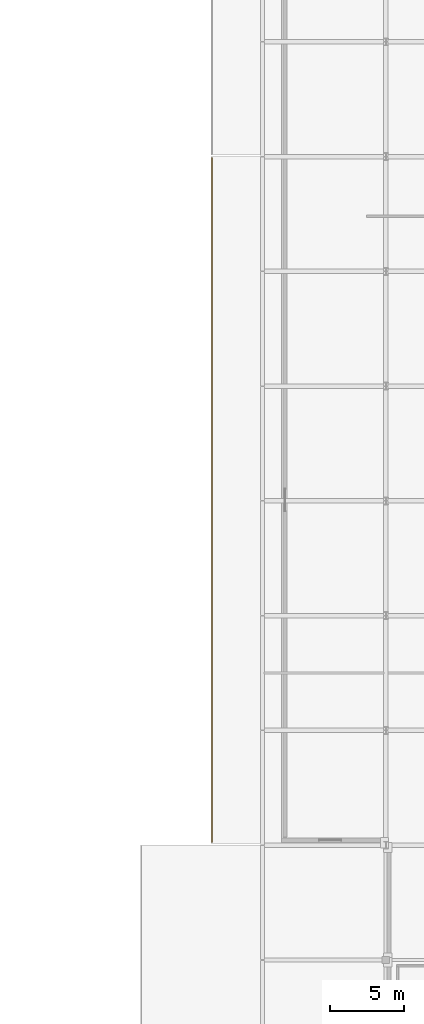
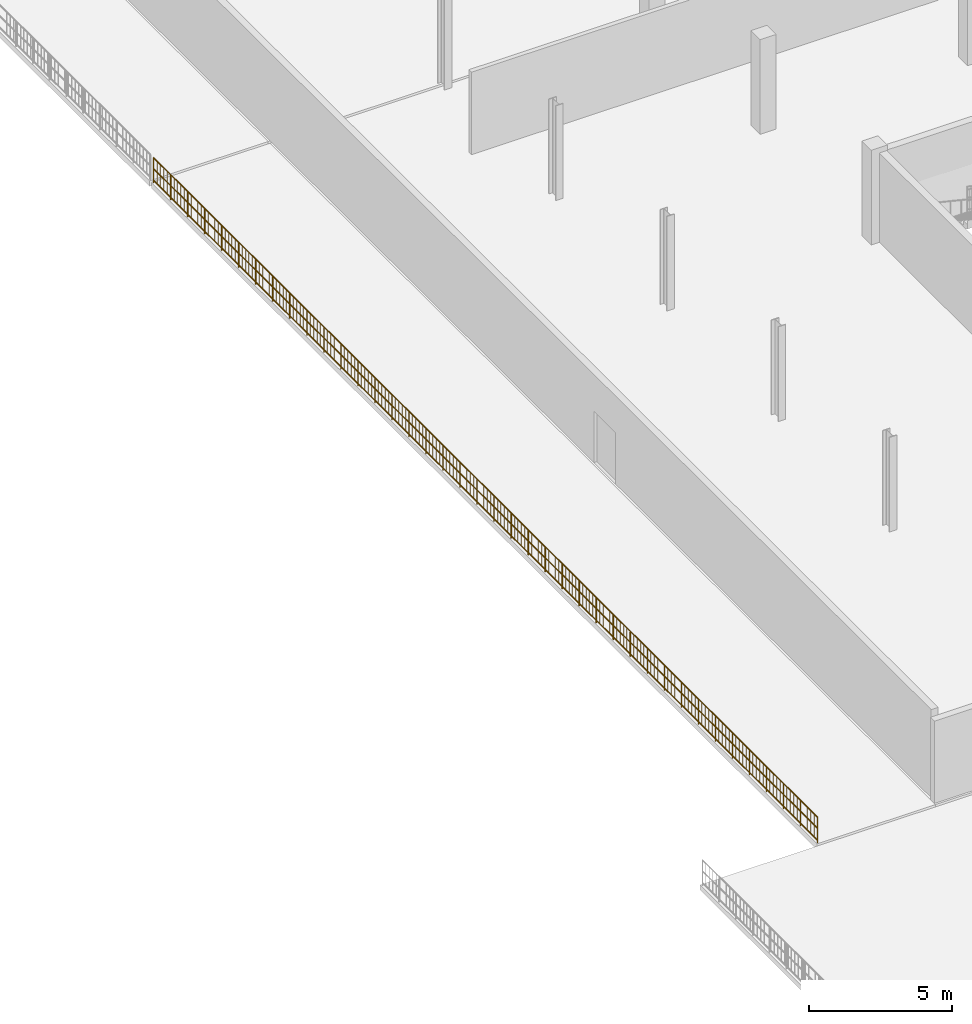
# One storey, part 36 of 41: 1 railing.
"""IFC4 building model written with IfcOpenShell, lengths in metres."""

from ifc_helpers import new_model, si_unit, direction, frame, origin, origin_2d, place, context, subcontext, project, spatial, circle, extrude, material, layer, layer_set, type_object, element, save


model = new_model("IFC4")

# Units and contexts
model_context = context("Model", 3, precision=1e-05, world=origin(), true_north=direction((0.0, 1.0)))
body_context = subcontext(model_context, "Body", "Model", "MODEL_VIEW")
ifc_project = project(units=[si_unit("LENGTHUNIT", "METRE"), si_unit("AREAUNIT", "SQUARE_METRE"), si_unit("VOLUMEUNIT", "CUBIC_METRE"), si_unit("PLANEANGLEUNIT", "RADIAN"), si_unit("MASSUNIT", "GRAM", prefix="KILO")], contexts=[model_context])

# Site, building, storey
site_placement = place(None, origin())
site = spatial("IfcSite", under=ifc_project, at=site_placement, CompositionType="ELEMENT")
building_placement = place(site_placement, origin())
building = spatial("IfcBuilding", under=site, at=building_placement, Name="Nabrawat Pavilion Hospital", CompositionType="ELEMENT")
storey_placement = place(building_placement, frame((0.0, 0.0, 18.89990234375)))
storey = spatial("IfcBuildingStorey", under=building, at=storey_placement, Name="L04", CompositionType="ELEMENT", Elevation=18.89990234375)

# Railing
ifc_material = material(Name="Stainless Steel 316", Category="steel")
ifc_layer = layer(ifc_material, 0.070068359375, Name="Stainless Steel 316")
ifc_layer_set = layer_set([ifc_layer], Name="Stainless Steel 316")
railing_type = type_object("IfcRailingType", Name="Exterior Clinical Terrace Safety Guardrail 1100", PredefinedType="GUARDRAIL", material=ifc_layer_set)
railing_placement = place(storey_placement, frame((130.97998046875, 39.179931640625, 0.0)))
element("IfcRailing", 1, at=railing_placement, inside=storey, type_object=railing_type, Name="L04 Terrace Edge Safety Guardrail T_L04_WARD_STEP2_S West", PredefinedType="GUARDRAIL", context=body_context, shape_type="SweptSolid", body=[
    extrude(circle(Radius=0.02392578125, at=origin_2d()), frame((0.0, 0.0, 1.076171875), z_axis=(0.0, 1.0, 0.0), x_axis=(-1.0, 0.0, 0.0)), (0.0, 0.0, 1.0), 46.56005859375),
    extrude(circle(Radius=0.02392578125, at=origin_2d()), frame((0.0, 0.0, 0.10009765625), z_axis=(0.0, 1.0, 0.0), x_axis=(-1.0, 0.0, 0.0)), (0.0, 0.0, 1.0), 46.56005859375),
    extrude(circle(Radius=0.02392578125, at=origin_2d()), frame((0.0, 0.0, 0.60498046875), z_axis=(0.0, 1.0, 0.0), x_axis=(-1.0, 0.0, 0.0)), (0.0, 0.0, 1.0), 46.56005859375),
    extrude(circle(Radius=0.008056640625, at=origin_2d()), frame((0.0, 0.23876953125, 0.10009765625)), (0.0, 0.0, 1.0), 0.951904296875),
    extrude(circle(Radius=0.008056640625, at=origin_2d()), frame((0.0, 0.4775390625, 0.10009765625)), (0.0, 0.0, 1.0), 0.951904296875),
    extrude(circle(Radius=0.008056640625, at=origin_2d()), frame((0.0, 0.71630859375, 0.10009765625)), (0.0, 0.0, 1.0), 0.951904296875),
    extrude(circle(Radius=0.008056640625, at=origin_2d()), frame((0.0, 0.955078125, 0.10009765625)), (0.0, 0.0, 1.0), 0.951904296875),
    extrude(circle(Radius=0.008056640625, at=origin_2d()), frame((0.0, 1.4326171875, 0.10009765625)), (0.0, 0.0, 1.0), 0.951904296875),
    extrude(circle(Radius=0.008056640625, at=origin_2d()), frame((0.0, 1.67138671875, 0.10009765625)), (0.0, 0.0, 1.0), 0.951904296875),
    extrude(circle(Radius=0.008056640625, at=origin_2d()), frame((0.0, 1.91015625, 0.10009765625)), (0.0, 0.0, 1.0), 0.951904296875),
    extrude(circle(Radius=0.008056640625, at=origin_2d()), frame((0.0, 2.14892578125, 0.10009765625)), (0.0, 0.0, 1.0), 0.951904296875),
    extrude(circle(Radius=0.008056640625, at=origin_2d()), frame((0.0, 2.62646484375, 0.10009765625)), (0.0, 0.0, 1.0), 0.951904296875),
    extrude(circle(Radius=0.008056640625, at=origin_2d()), frame((0.0, 2.865234375, 0.10009765625)), (0.0, 0.0, 1.0), 0.951904296875),
    extrude(circle(Radius=0.008056640625, at=origin_2d()), frame((0.0, 3.10400390625, 0.10009765625)), (0.0, 0.0, 1.0), 0.951904296875),
    extrude(circle(Radius=0.008056640625, at=origin_2d()), frame((0.0, 3.3427734375, 0.10009765625)), (0.0, 0.0, 1.0), 0.951904296875),
    extrude(circle(Radius=0.008056640625, at=origin_2d()), frame((0.0, 3.8203125, 0.10009765625)), (0.0, 0.0, 1.0), 0.951904296875),
    extrude(circle(Radius=0.008056640625, at=origin_2d()), frame((0.0, 4.05908203125, 0.10009765625)), (0.0, 0.0, 1.0), 0.951904296875),
    extrude(circle(Radius=0.008056640625, at=origin_2d()), frame((0.0, 4.2978515625, 0.10009765625)), (0.0, 0.0, 1.0), 0.951904296875),
    extrude(circle(Radius=0.008056640625, at=origin_2d()), frame((0.0, 4.53662109375, 0.10009765625)), (0.0, 0.0, 1.0), 0.951904296875),
    extrude(circle(Radius=0.008056640625, at=origin_2d()), frame((0.0, 5.01416015625, 0.10009765625)), (0.0, 0.0, 1.0), 0.951904296875),
    extrude(circle(Radius=0.008056640625, at=origin_2d()), frame((0.0, 5.2529296875, 0.10009765625)), (0.0, 0.0, 1.0), 0.951904296875),
    extrude(circle(Radius=0.008056640625, at=origin_2d()), frame((0.0, 5.49169921875, 0.10009765625)), (0.0, 0.0, 1.0), 0.951904296875),
    extrude(circle(Radius=0.008056640625, at=origin_2d()), frame((0.0, 5.73046875, 0.10009765625)), (0.0, 0.0, 1.0), 0.951904296875),
    extrude(circle(Radius=0.008056640625, at=origin_2d()), frame((0.0, 6.2080078125, 0.10009765625)), (0.0, 0.0, 1.0), 0.951904296875),
    extrude(circle(Radius=0.008056640625, at=origin_2d()), frame((0.0, 6.44677734375, 0.10009765625)), (0.0, 0.0, 1.0), 0.951904296875),
    extrude(circle(Radius=0.008056640625, at=origin_2d()), frame((0.0, 6.685546875, 0.10009765625)), (0.0, 0.0, 1.0), 0.951904296875),
    extrude(circle(Radius=0.008056640625, at=origin_2d()), frame((0.0, 6.92431640625, 0.10009765625)), (0.0, 0.0, 1.0), 0.951904296875),
    extrude(circle(Radius=0.008056640625, at=origin_2d()), frame((0.0, 7.40185546875, 0.10009765625)), (0.0, 0.0, 1.0), 0.951904296875),
    extrude(circle(Radius=0.008056640625, at=origin_2d()), frame((0.0, 7.640625, 0.10009765625)), (0.0, 0.0, 1.0), 0.951904296875),
    extrude(circle(Radius=0.008056640625, at=origin_2d()), frame((0.0, 7.87939453125, 0.10009765625)), (0.0, 0.0, 1.0), 0.951904296875),
    extrude(circle(Radius=0.008056640625, at=origin_2d()), frame((0.0, 8.1181640625, 0.10009765625)), (0.0, 0.0, 1.0), 0.951904296875),
    extrude(circle(Radius=0.008056640625, at=origin_2d()), frame((0.0, 8.595703125, 0.10009765625)), (0.0, 0.0, 1.0), 0.951904296875),
    extrude(circle(Radius=0.008056640625, at=origin_2d()), frame((0.0, 8.83447265625, 0.10009765625)), (0.0, 0.0, 1.0), 0.951904296875),
    extrude(circle(Radius=0.008056640625, at=origin_2d()), frame((0.0, 9.0732421875, 0.10009765625)), (0.0, 0.0, 1.0), 0.951904296875),
    extrude(circle(Radius=0.008056640625, at=origin_2d()), frame((0.0, 9.31201171875, 0.10009765625)), (0.0, 0.0, 1.0), 0.951904296875),
    extrude(circle(Radius=0.008056640625, at=origin_2d()), frame((0.0, 9.78955078125, 0.10009765625)), (0.0, 0.0, 1.0), 0.951904296875),
    extrude(circle(Radius=0.008056640625, at=origin_2d()), frame((0.0, 10.0283203125, 0.10009765625)), (0.0, 0.0, 1.0), 0.951904296875),
    extrude(circle(Radius=0.008056640625, at=origin_2d()), frame((0.0, 10.26708984375, 0.10009765625)), (0.0, 0.0, 1.0), 0.951904296875),
    extrude(circle(Radius=0.008056640625, at=origin_2d()), frame((0.0, 10.505859375, 0.10009765625)), (0.0, 0.0, 1.0), 0.951904296875),
    extrude(circle(Radius=0.008056640625, at=origin_2d()), frame((0.0, 10.9833984375, 0.10009765625)), (0.0, 0.0, 1.0), 0.951904296875),
    extrude(circle(Radius=0.008056640625, at=origin_2d()), frame((0.0, 11.22216796875, 0.10009765625)), (0.0, 0.0, 1.0), 0.951904296875),
    extrude(circle(Radius=0.008056640625, at=origin_2d()), frame((0.0, 11.4609375, 0.10009765625)), (0.0, 0.0, 1.0), 0.951904296875),
    extrude(circle(Radius=0.008056640625, at=origin_2d()), frame((0.0, 11.69970703125, 0.10009765625)), (0.0, 0.0, 1.0), 0.951904296875),
    extrude(circle(Radius=0.008056640625, at=origin_2d()), frame((0.0, 12.17724609375, 0.10009765625)), (0.0, 0.0, 1.0), 0.951904296875),
    extrude(circle(Radius=0.008056640625, at=origin_2d()), frame((0.0, 12.416015625, 0.10009765625)), (0.0, 0.0, 1.0), 0.951904296875),
    extrude(circle(Radius=0.008056640625, at=origin_2d()), frame((0.0, 12.65478515625, 0.10009765625)), (0.0, 0.0, 1.0), 0.951904296875),
    extrude(circle(Radius=0.008056640625, at=origin_2d()), frame((0.0, 12.8935546875, 0.10009765625)), (0.0, 0.0, 1.0), 0.951904296875),
    extrude(circle(Radius=0.008056640625, at=origin_2d()), frame((0.0, 13.37109375, 0.10009765625)), (0.0, 0.0, 1.0), 0.951904296875),
    extrude(circle(Radius=0.008056640625, at=origin_2d()), frame((0.0, 13.60986328125, 0.10009765625)), (0.0, 0.0, 1.0), 0.951904296875),
    extrude(circle(Radius=0.008056640625, at=origin_2d()), frame((0.0, 13.8486328125, 0.10009765625)), (0.0, 0.0, 1.0), 0.951904296875),
    extrude(circle(Radius=0.008056640625, at=origin_2d()), frame((0.0, 14.08740234375, 0.10009765625)), (0.0, 0.0, 1.0), 0.951904296875),
    extrude(circle(Radius=0.008056640625, at=origin_2d()), frame((0.0, 14.56494140625, 0.10009765625)), (0.0, 0.0, 1.0), 0.951904296875),
    extrude(circle(Radius=0.008056640625, at=origin_2d()), frame((0.0, 14.8037109375, 0.10009765625)), (0.0, 0.0, 1.0), 0.951904296875),
    extrude(circle(Radius=0.008056640625, at=origin_2d()), frame((0.0, 15.04248046875, 0.10009765625)), (0.0, 0.0, 1.0), 0.951904296875),
    extrude(circle(Radius=0.008056640625, at=origin_2d()), frame((0.0, 15.28125, 0.10009765625)), (0.0, 0.0, 1.0), 0.951904296875),
    extrude(circle(Radius=0.008056640625, at=origin_2d()), frame((0.0, 15.7587890625, 0.10009765625)), (0.0, 0.0, 1.0), 0.951904296875),
    extrude(circle(Radius=0.008056640625, at=origin_2d()), frame((0.0, 15.99755859375, 0.10009765625)), (0.0, 0.0, 1.0), 0.951904296875),
    extrude(circle(Radius=0.008056640625, at=origin_2d()), frame((0.0, 16.236328125, 0.10009765625)), (0.0, 0.0, 1.0), 0.951904296875),
    extrude(circle(Radius=0.008056640625, at=origin_2d()), frame((0.0, 16.47509765625, 0.10009765625)), (0.0, 0.0, 1.0), 0.951904296875),
    extrude(circle(Radius=0.008056640625, at=origin_2d()), frame((0.0, 16.95263671875, 0.10009765625)), (0.0, 0.0, 1.0), 0.951904296875),
    extrude(circle(Radius=0.008056640625, at=origin_2d()), frame((0.0, 17.19140625, 0.10009765625)), (0.0, 0.0, 1.0), 0.951904296875),
    extrude(circle(Radius=0.008056640625, at=origin_2d()), frame((0.0, 17.43017578125, 0.10009765625)), (0.0, 0.0, 1.0), 0.951904296875),
    extrude(circle(Radius=0.008056640625, at=origin_2d()), frame((0.0, 17.6689453125, 0.10009765625)), (0.0, 0.0, 1.0), 0.951904296875),
    extrude(circle(Radius=0.008056640625, at=origin_2d()), frame((0.0, 18.146484375, 0.10009765625)), (0.0, 0.0, 1.0), 0.951904296875),
    extrude(circle(Radius=0.008056640625, at=origin_2d()), frame((0.0, 18.38525390625, 0.10009765625)), (0.0, 0.0, 1.0), 0.951904296875),
    extrude(circle(Radius=0.008056640625, at=origin_2d()), frame((0.0, 18.6240234375, 0.10009765625)), (0.0, 0.0, 1.0), 0.951904296875),
    extrude(circle(Radius=0.008056640625, at=origin_2d()), frame((0.0, 18.86279296875, 0.10009765625)), (0.0, 0.0, 1.0), 0.951904296875),
    extrude(circle(Radius=0.008056640625, at=origin_2d()), frame((0.0, 19.34033203125, 0.10009765625)), (0.0, 0.0, 1.0), 0.951904296875),
    extrude(circle(Radius=0.008056640625, at=origin_2d()), frame((0.0, 19.5791015625, 0.10009765625)), (0.0, 0.0, 1.0), 0.951904296875),
    extrude(circle(Radius=0.008056640625, at=origin_2d()), frame((0.0, 19.81787109375, 0.10009765625)), (0.0, 0.0, 1.0), 0.951904296875),
    extrude(circle(Radius=0.008056640625, at=origin_2d()), frame((0.0, 20.056640625, 0.10009765625)), (0.0, 0.0, 1.0), 0.951904296875),
    extrude(circle(Radius=0.008056640625, at=origin_2d()), frame((0.0, 20.5341796875, 0.10009765625)), (0.0, 0.0, 1.0), 0.951904296875),
    extrude(circle(Radius=0.008056640625, at=origin_2d()), frame((0.0, 20.77294921875, 0.10009765625)), (0.0, 0.0, 1.0), 0.951904296875),
    extrude(circle(Radius=0.008056640625, at=origin_2d()), frame((0.0, 21.01171875, 0.10009765625)), (0.0, 0.0, 1.0), 0.951904296875),
    extrude(circle(Radius=0.008056640625, at=origin_2d()), frame((0.0, 21.25048828125, 0.10009765625)), (0.0, 0.0, 1.0), 0.951904296875),
    extrude(circle(Radius=0.008056640625, at=origin_2d()), frame((0.0, 21.72802734375, 0.10009765625)), (0.0, 0.0, 1.0), 0.951904296875),
    extrude(circle(Radius=0.008056640625, at=origin_2d()), frame((0.0, 21.966796875, 0.10009765625)), (0.0, 0.0, 1.0), 0.951904296875),
    extrude(circle(Radius=0.008056640625, at=origin_2d()), frame((0.0, 22.20556640625, 0.10009765625)), (0.0, 0.0, 1.0), 0.951904296875),
    extrude(circle(Radius=0.008056640625, at=origin_2d()), frame((0.0, 22.4443359375, 0.10009765625)), (0.0, 0.0, 1.0), 0.951904296875),
    extrude(circle(Radius=0.008056640625, at=origin_2d()), frame((0.0, 22.921875, 0.10009765625)), (0.0, 0.0, 1.0), 0.951904296875),
    extrude(circle(Radius=0.008056640625, at=origin_2d()), frame((0.0, 23.16064453125, 0.10009765625)), (0.0, 0.0, 1.0), 0.951904296875),
    extrude(circle(Radius=0.008056640625, at=origin_2d()), frame((0.0, 23.3994140625, 0.10009765625)), (0.0, 0.0, 1.0), 0.951904296875),
    extrude(circle(Radius=0.008056640625, at=origin_2d()), frame((0.0, 23.63818359375, 0.10009765625)), (0.0, 0.0, 1.0), 0.951904296875),
    extrude(circle(Radius=0.008056640625, at=origin_2d()), frame((0.0, 24.11572265625, 0.10009765625)), (0.0, 0.0, 1.0), 0.951904296875),
    extrude(circle(Radius=0.008056640625, at=origin_2d()), frame((0.0, 24.3544921875, 0.10009765625)), (0.0, 0.0, 1.0), 0.951904296875),
    extrude(circle(Radius=0.008056640625, at=origin_2d()), frame((0.0, 24.59326171875, 0.10009765625)), (0.0, 0.0, 1.0), 0.951904296875),
    extrude(circle(Radius=0.008056640625, at=origin_2d()), frame((0.0, 24.83203125, 0.10009765625)), (0.0, 0.0, 1.0), 0.951904296875),
    extrude(circle(Radius=0.008056640625, at=origin_2d()), frame((0.0, 25.3095703125, 0.10009765625)), (0.0, 0.0, 1.0), 0.951904296875),
    extrude(circle(Radius=0.008056640625, at=origin_2d()), frame((0.0, 25.54833984375, 0.10009765625)), (0.0, 0.0, 1.0), 0.951904296875),
    extrude(circle(Radius=0.008056640625, at=origin_2d()), frame((0.0, 25.787109375, 0.10009765625)), (0.0, 0.0, 1.0), 0.951904296875),
    extrude(circle(Radius=0.008056640625, at=origin_2d()), frame((0.0, 26.02587890625, 0.10009765625)), (0.0, 0.0, 1.0), 0.951904296875),
    extrude(circle(Radius=0.008056640625, at=origin_2d()), frame((0.0, 26.50341796875, 0.10009765625)), (0.0, 0.0, 1.0), 0.951904296875),
    extrude(circle(Radius=0.008056640625, at=origin_2d()), frame((0.0, 26.7421875, 0.10009765625)), (0.0, 0.0, 1.0), 0.951904296875),
    extrude(circle(Radius=0.008056640625, at=origin_2d()), frame((0.0, 26.98095703125, 0.10009765625)), (0.0, 0.0, 1.0), 0.951904296875),
    extrude(circle(Radius=0.008056640625, at=origin_2d()), frame((0.0, 27.2197265625, 0.10009765625)), (0.0, 0.0, 1.0), 0.951904296875),
    extrude(circle(Radius=0.008056640625, at=origin_2d()), frame((0.0, 27.697265625, 0.10009765625)), (0.0, 0.0, 1.0), 0.951904296875),
    extrude(circle(Radius=0.008056640625, at=origin_2d()), frame((0.0, 27.93603515625, 0.10009765625)), (0.0, 0.0, 1.0), 0.951904296875),
    extrude(circle(Radius=0.008056640625, at=origin_2d()), frame((0.0, 28.1748046875, 0.10009765625)), (0.0, 0.0, 1.0), 0.951904296875),
    extrude(circle(Radius=0.008056640625, at=origin_2d()), frame((0.0, 28.41357421875, 0.10009765625)), (0.0, 0.0, 1.0), 0.951904296875),
    extrude(circle(Radius=0.008056640625, at=origin_2d()), frame((0.0, 28.89111328125, 0.10009765625)), (0.0, 0.0, 1.0), 0.951904296875),
    extrude(circle(Radius=0.008056640625, at=origin_2d()), frame((0.0, 29.1298828125, 0.10009765625)), (0.0, 0.0, 1.0), 0.951904296875),
    extrude(circle(Radius=0.008056640625, at=origin_2d()), frame((0.0, 29.36865234375, 0.10009765625)), (0.0, 0.0, 1.0), 0.951904296875),
    extrude(circle(Radius=0.008056640625, at=origin_2d()), frame((0.0, 29.607421875, 0.10009765625)), (0.0, 0.0, 1.0), 0.951904296875),
    extrude(circle(Radius=0.008056640625, at=origin_2d()), frame((0.0, 30.0849609375, 0.10009765625)), (0.0, 0.0, 1.0), 0.951904296875),
    extrude(circle(Radius=0.008056640625, at=origin_2d()), frame((0.0, 30.32373046875, 0.10009765625)), (0.0, 0.0, 1.0), 0.951904296875),
    extrude(circle(Radius=0.008056640625, at=origin_2d()), frame((0.0, 30.5625, 0.10009765625)), (0.0, 0.0, 1.0), 0.951904296875),
    extrude(circle(Radius=0.008056640625, at=origin_2d()), frame((0.0, 30.80126953125, 0.10009765625)), (0.0, 0.0, 1.0), 0.951904296875),
    extrude(circle(Radius=0.008056640625, at=origin_2d()), frame((0.0, 31.27880859375, 0.10009765625)), (0.0, 0.0, 1.0), 0.951904296875),
    extrude(circle(Radius=0.008056640625, at=origin_2d()), frame((0.0, 31.517578125, 0.10009765625)), (0.0, 0.0, 1.0), 0.951904296875),
    extrude(circle(Radius=0.008056640625, at=origin_2d()), frame((0.0, 31.75634765625, 0.10009765625)), (0.0, 0.0, 1.0), 0.951904296875),
    extrude(circle(Radius=0.008056640625, at=origin_2d()), frame((0.0, 31.9951171875, 0.10009765625)), (0.0, 0.0, 1.0), 0.951904296875),
    extrude(circle(Radius=0.008056640625, at=origin_2d()), frame((0.0, 32.47265625, 0.10009765625)), (0.0, 0.0, 1.0), 0.951904296875),
    extrude(circle(Radius=0.008056640625, at=origin_2d()), frame((0.0, 32.71142578125, 0.10009765625)), (0.0, 0.0, 1.0), 0.951904296875),
    extrude(circle(Radius=0.008056640625, at=origin_2d()), frame((0.0, 32.9501953125, 0.10009765625)), (0.0, 0.0, 1.0), 0.951904296875),
    extrude(circle(Radius=0.008056640625, at=origin_2d()), frame((0.0, 33.18896484375, 0.10009765625)), (0.0, 0.0, 1.0), 0.951904296875),
    extrude(circle(Radius=0.008056640625, at=origin_2d()), frame((0.0, 33.66650390625, 0.10009765625)), (0.0, 0.0, 1.0), 0.951904296875),
    extrude(circle(Radius=0.008056640625, at=origin_2d()), frame((0.0, 33.9052734375, 0.10009765625)), (0.0, 0.0, 1.0), 0.951904296875),
    extrude(circle(Radius=0.008056640625, at=origin_2d()), frame((0.0, 34.14404296875, 0.10009765625)), (0.0, 0.0, 1.0), 0.951904296875),
    extrude(circle(Radius=0.008056640625, at=origin_2d()), frame((0.0, 34.3828125, 0.10009765625)), (0.0, 0.0, 1.0), 0.951904296875),
    extrude(circle(Radius=0.008056640625, at=origin_2d()), frame((0.0, 34.8603515625, 0.10009765625)), (0.0, 0.0, 1.0), 0.951904296875),
    extrude(circle(Radius=0.008056640625, at=origin_2d()), frame((0.0, 35.09912109375, 0.10009765625)), (0.0, 0.0, 1.0), 0.951904296875),
    extrude(circle(Radius=0.008056640625, at=origin_2d()), frame((0.0, 35.337890625, 0.10009765625)), (0.0, 0.0, 1.0), 0.951904296875),
    extrude(circle(Radius=0.008056640625, at=origin_2d()), frame((0.0, 35.57666015625, 0.10009765625)), (0.0, 0.0, 1.0), 0.951904296875),
    extrude(circle(Radius=0.008056640625, at=origin_2d()), frame((0.0, 36.05419921875, 0.10009765625)), (0.0, 0.0, 1.0), 0.951904296875),
    extrude(circle(Radius=0.008056640625, at=origin_2d()), frame((0.0, 36.29296875, 0.10009765625)), (0.0, 0.0, 1.0), 0.951904296875),
    extrude(circle(Radius=0.008056640625, at=origin_2d()), frame((0.0, 36.53173828125, 0.10009765625)), (0.0, 0.0, 1.0), 0.951904296875),
    extrude(circle(Radius=0.008056640625, at=origin_2d()), frame((0.0, 36.7705078125, 0.10009765625)), (0.0, 0.0, 1.0), 0.951904296875),
    extrude(circle(Radius=0.008056640625, at=origin_2d()), frame((0.0, 37.248046875, 0.10009765625)), (0.0, 0.0, 1.0), 0.951904296875),
    extrude(circle(Radius=0.008056640625, at=origin_2d()), frame((0.0, 37.48681640625, 0.10009765625)), (0.0, 0.0, 1.0), 0.951904296875),
    extrude(circle(Radius=0.008056640625, at=origin_2d()), frame((0.0, 37.7255859375, 0.10009765625)), (0.0, 0.0, 1.0), 0.951904296875),
    extrude(circle(Radius=0.008056640625, at=origin_2d()), frame((0.0, 37.96435546875, 0.10009765625)), (0.0, 0.0, 1.0), 0.951904296875),
    extrude(circle(Radius=0.008056640625, at=origin_2d()), frame((0.0, 38.44189453125, 0.10009765625)), (0.0, 0.0, 1.0), 0.951904296875),
    extrude(circle(Radius=0.008056640625, at=origin_2d()), frame((0.0, 38.6806640625, 0.10009765625)), (0.0, 0.0, 1.0), 0.951904296875),
    extrude(circle(Radius=0.008056640625, at=origin_2d()), frame((0.0, 38.91943359375, 0.10009765625)), (0.0, 0.0, 1.0), 0.951904296875),
    extrude(circle(Radius=0.008056640625, at=origin_2d()), frame((0.0, 39.158203125, 0.10009765625)), (0.0, 0.0, 1.0), 0.951904296875),
    extrude(circle(Radius=0.008056640625, at=origin_2d()), frame((0.0, 39.6357421875, 0.10009765625)), (0.0, 0.0, 1.0), 0.951904296875),
    extrude(circle(Radius=0.008056640625, at=origin_2d()), frame((0.0, 39.87451171875, 0.10009765625)), (0.0, 0.0, 1.0), 0.951904296875),
    extrude(circle(Radius=0.008056640625, at=origin_2d()), frame((0.0, 40.11328125, 0.10009765625)), (0.0, 0.0, 1.0), 0.951904296875),
    extrude(circle(Radius=0.008056640625, at=origin_2d()), frame((0.0, 40.35205078125, 0.10009765625)), (0.0, 0.0, 1.0), 0.951904296875),
    extrude(circle(Radius=0.008056640625, at=origin_2d()), frame((0.0, 40.82958984375, 0.10009765625)), (0.0, 0.0, 1.0), 0.951904296875),
    extrude(circle(Radius=0.008056640625, at=origin_2d()), frame((0.0, 41.068359375, 0.10009765625)), (0.0, 0.0, 1.0), 0.951904296875),
    extrude(circle(Radius=0.008056640625, at=origin_2d()), frame((0.0, 41.30712890625, 0.10009765625)), (0.0, 0.0, 1.0), 0.951904296875),
    extrude(circle(Radius=0.008056640625, at=origin_2d()), frame((0.0, 41.5458984375, 0.10009765625)), (0.0, 0.0, 1.0), 0.951904296875),
    extrude(circle(Radius=0.008056640625, at=origin_2d()), frame((0.0, 42.0234375, 0.10009765625)), (0.0, 0.0, 1.0), 0.951904296875),
    extrude(circle(Radius=0.008056640625, at=origin_2d()), frame((0.0, 42.26220703125, 0.10009765625)), (0.0, 0.0, 1.0), 0.951904296875),
    extrude(circle(Radius=0.008056640625, at=origin_2d()), frame((0.0, 42.5009765625, 0.10009765625)), (0.0, 0.0, 1.0), 0.951904296875),
    extrude(circle(Radius=0.008056640625, at=origin_2d()), frame((0.0, 42.73974609375, 0.10009765625)), (0.0, 0.0, 1.0), 0.951904296875),
    extrude(circle(Radius=0.008056640625, at=origin_2d()), frame((0.0, 43.21728515625, 0.10009765625)), (0.0, 0.0, 1.0), 0.951904296875),
    extrude(circle(Radius=0.008056640625, at=origin_2d()), frame((0.0, 43.4560546875, 0.10009765625)), (0.0, 0.0, 1.0), 0.951904296875),
    extrude(circle(Radius=0.008056640625, at=origin_2d()), frame((0.0, 43.69482421875, 0.10009765625)), (0.0, 0.0, 1.0), 0.951904296875),
    extrude(circle(Radius=0.008056640625, at=origin_2d()), frame((0.0, 43.93359375, 0.10009765625)), (0.0, 0.0, 1.0), 0.951904296875),
    extrude(circle(Radius=0.008056640625, at=origin_2d()), frame((0.0, 44.4111328125, 0.10009765625)), (0.0, 0.0, 1.0), 0.951904296875),
    extrude(circle(Radius=0.008056640625, at=origin_2d()), frame((0.0, 44.64990234375, 0.10009765625)), (0.0, 0.0, 1.0), 0.951904296875),
    extrude(circle(Radius=0.008056640625, at=origin_2d()), frame((0.0, 44.888671875, 0.10009765625)), (0.0, 0.0, 1.0), 0.951904296875),
    extrude(circle(Radius=0.008056640625, at=origin_2d()), frame((0.0, 45.12744140625, 0.10009765625)), (0.0, 0.0, 1.0), 0.951904296875),
    extrude(circle(Radius=0.008056640625, at=origin_2d()), frame((0.0, 45.60498046875, 0.10009765625)), (0.0, 0.0, 1.0), 0.951904296875),
    extrude(circle(Radius=0.008056640625, at=origin_2d()), frame((0.0, 45.84375, 0.10009765625)), (0.0, 0.0, 1.0), 0.951904296875),
    extrude(circle(Radius=0.008056640625, at=origin_2d()), frame((0.0, 46.08251953125, 0.10009765625)), (0.0, 0.0, 1.0), 0.951904296875),
    extrude(circle(Radius=0.008056640625, at=origin_2d()), frame((0.0, 46.3212890625, 0.10009765625)), (0.0, 0.0, 1.0), 0.951904296875),
    extrude(circle(Radius=0.02099609375, at=origin_2d()), origin(), (0.0, 0.0, 1.0), 1.052001953125),
    extrude(circle(Radius=0.02099609375, at=origin_2d()), frame((0.0, 1.19384765625, 0.0)), (0.0, 0.0, 1.0), 1.052001953125),
    extrude(circle(Radius=0.02099609375, at=origin_2d()), frame((0.0, 2.3876953125, 0.0)), (0.0, 0.0, 1.0), 1.052001953125),
    extrude(circle(Radius=0.02099609375, at=origin_2d()), frame((0.0, 3.58154296875, 0.0)), (0.0, 0.0, 1.0), 1.052001953125),
    extrude(circle(Radius=0.02099609375, at=origin_2d()), frame((0.0, 4.775390625, 0.0)), (0.0, 0.0, 1.0), 1.052001953125),
    extrude(circle(Radius=0.02099609375, at=origin_2d()), frame((0.0, 5.96923828125, 0.0)), (0.0, 0.0, 1.0), 1.052001953125),
    extrude(circle(Radius=0.02099609375, at=origin_2d()), frame((0.0, 7.1630859375, 0.0)), (0.0, 0.0, 1.0), 1.052001953125),
    extrude(circle(Radius=0.02099609375, at=origin_2d()), frame((0.0, 8.35693359375, 0.0)), (0.0, 0.0, 1.0), 1.052001953125),
    extrude(circle(Radius=0.02099609375, at=origin_2d()), frame((0.0, 9.55078125, 0.0)), (0.0, 0.0, 1.0), 1.052001953125),
    extrude(circle(Radius=0.02099609375, at=origin_2d()), frame((0.0, 10.74462890625, 0.0)), (0.0, 0.0, 1.0), 1.052001953125),
    extrude(circle(Radius=0.02099609375, at=origin_2d()), frame((0.0, 11.9384765625, 0.0)), (0.0, 0.0, 1.0), 1.052001953125),
    extrude(circle(Radius=0.02099609375, at=origin_2d()), frame((0.0, 13.13232421875, 0.0)), (0.0, 0.0, 1.0), 1.052001953125),
    extrude(circle(Radius=0.02099609375, at=origin_2d()), frame((0.0, 14.326171875, 0.0)), (0.0, 0.0, 1.0), 1.052001953125),
    extrude(circle(Radius=0.02099609375, at=origin_2d()), frame((0.0, 15.52001953125, 0.0)), (0.0, 0.0, 1.0), 1.052001953125),
    extrude(circle(Radius=0.02099609375, at=origin_2d()), frame((0.0, 16.7138671875, 0.0)), (0.0, 0.0, 1.0), 1.052001953125),
    extrude(circle(Radius=0.02099609375, at=origin_2d()), frame((0.0, 17.90771484375, 0.0)), (0.0, 0.0, 1.0), 1.052001953125),
    extrude(circle(Radius=0.02099609375, at=origin_2d()), frame((0.0, 19.1015625, 0.0)), (0.0, 0.0, 1.0), 1.052001953125),
    extrude(circle(Radius=0.02099609375, at=origin_2d()), frame((0.0, 20.29541015625, 0.0)), (0.0, 0.0, 1.0), 1.052001953125),
    extrude(circle(Radius=0.02099609375, at=origin_2d()), frame((0.0, 21.4892578125, 0.0)), (0.0, 0.0, 1.0), 1.052001953125),
    extrude(circle(Radius=0.02099609375, at=origin_2d()), frame((0.0, 22.68310546875, 0.0)), (0.0, 0.0, 1.0), 1.052001953125),
    extrude(circle(Radius=0.02099609375, at=origin_2d()), frame((0.0, 23.876953125, 0.0)), (0.0, 0.0, 1.0), 1.052001953125),
    extrude(circle(Radius=0.02099609375, at=origin_2d()), frame((0.0, 25.07080078125, 0.0)), (0.0, 0.0, 1.0), 1.052001953125),
    extrude(circle(Radius=0.02099609375, at=origin_2d()), frame((0.0, 26.2646484375, 0.0)), (0.0, 0.0, 1.0), 1.052001953125),
    extrude(circle(Radius=0.02099609375, at=origin_2d()), frame((0.0, 27.45849609375, 0.0)), (0.0, 0.0, 1.0), 1.052001953125),
    extrude(circle(Radius=0.02099609375, at=origin_2d()), frame((0.0, 28.65234375, 0.0)), (0.0, 0.0, 1.0), 1.052001953125),
    extrude(circle(Radius=0.02099609375, at=origin_2d()), frame((0.0, 29.84619140625, 0.0)), (0.0, 0.0, 1.0), 1.052001953125),
    extrude(circle(Radius=0.02099609375, at=origin_2d()), frame((0.0, 31.0400390625, 0.0)), (0.0, 0.0, 1.0), 1.052001953125),
    extrude(circle(Radius=0.02099609375, at=origin_2d()), frame((0.0, 32.23388671875, 0.0)), (0.0, 0.0, 1.0), 1.052001953125),
    extrude(circle(Radius=0.02099609375, at=origin_2d()), frame((0.0, 33.427734375, 0.0)), (0.0, 0.0, 1.0), 1.052001953125),
    extrude(circle(Radius=0.02099609375, at=origin_2d()), frame((0.0, 34.62158203125, 0.0)), (0.0, 0.0, 1.0), 1.052001953125),
    extrude(circle(Radius=0.02099609375, at=origin_2d()), frame((0.0, 35.8154296875, 0.0)), (0.0, 0.0, 1.0), 1.052001953125),
    extrude(circle(Radius=0.02099609375, at=origin_2d()), frame((0.0, 37.00927734375, 0.0)), (0.0, 0.0, 1.0), 1.052001953125),
    extrude(circle(Radius=0.02099609375, at=origin_2d()), frame((0.0, 38.203125, 0.0)), (0.0, 0.0, 1.0), 1.052001953125),
    extrude(circle(Radius=0.02099609375, at=origin_2d()), frame((0.0, 39.39697265625, 0.0)), (0.0, 0.0, 1.0), 1.052001953125),
    extrude(circle(Radius=0.02099609375, at=origin_2d()), frame((0.0, 40.5908203125, 0.0)), (0.0, 0.0, 1.0), 1.052001953125),
    extrude(circle(Radius=0.02099609375, at=origin_2d()), frame((0.0, 41.78466796875, 0.0)), (0.0, 0.0, 1.0), 1.052001953125),
    extrude(circle(Radius=0.02099609375, at=origin_2d()), frame((0.0, 42.978515625, 0.0)), (0.0, 0.0, 1.0), 1.052001953125),
    extrude(circle(Radius=0.02099609375, at=origin_2d()), frame((0.0, 44.17236328125, 0.0)), (0.0, 0.0, 1.0), 1.052001953125),
    extrude(circle(Radius=0.02099609375, at=origin_2d()), frame((0.0, 45.3662109375, 0.0)), (0.0, 0.0, 1.0), 1.052001953125),
    extrude(circle(Radius=0.02099609375, at=origin_2d()), frame((0.0, 46.56005859375, 0.0)), (0.0, 0.0, 1.0), 1.052001953125),
])

save(model, "model.ifc")
